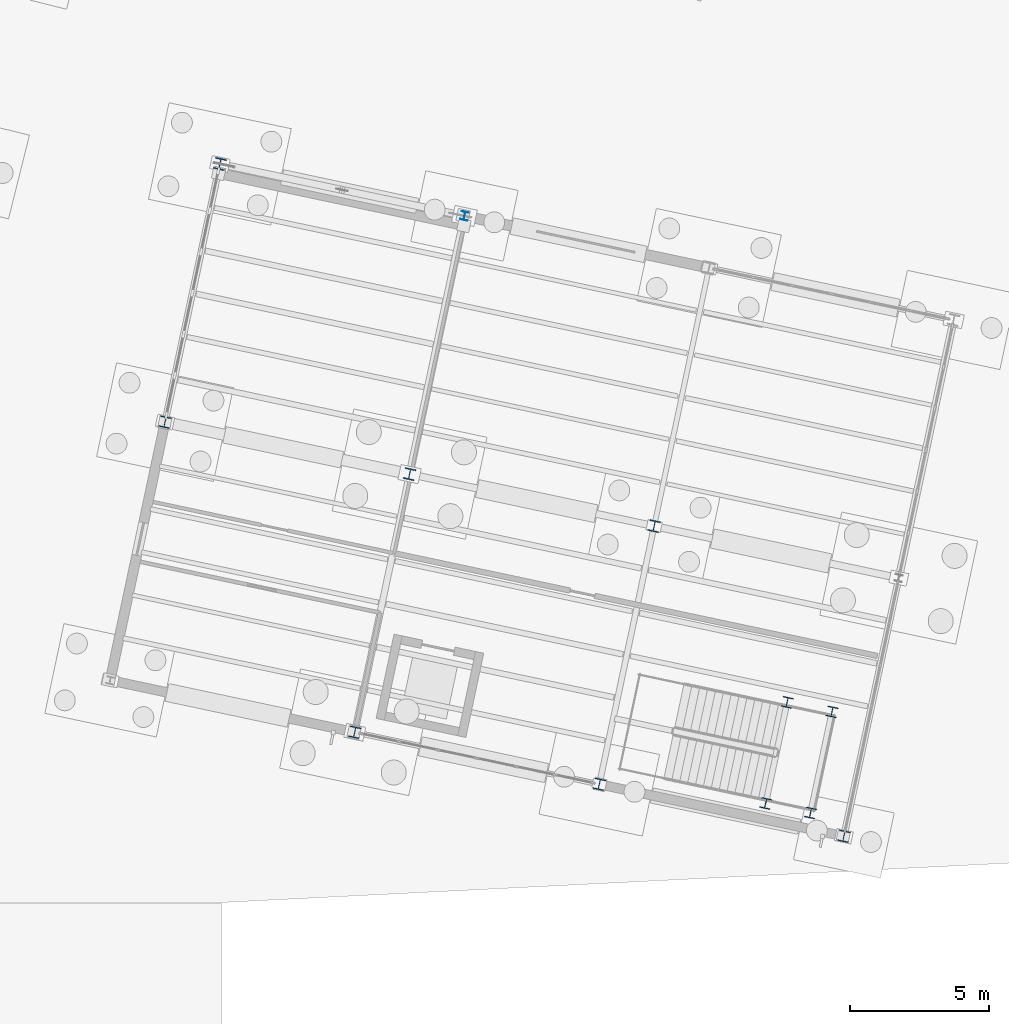
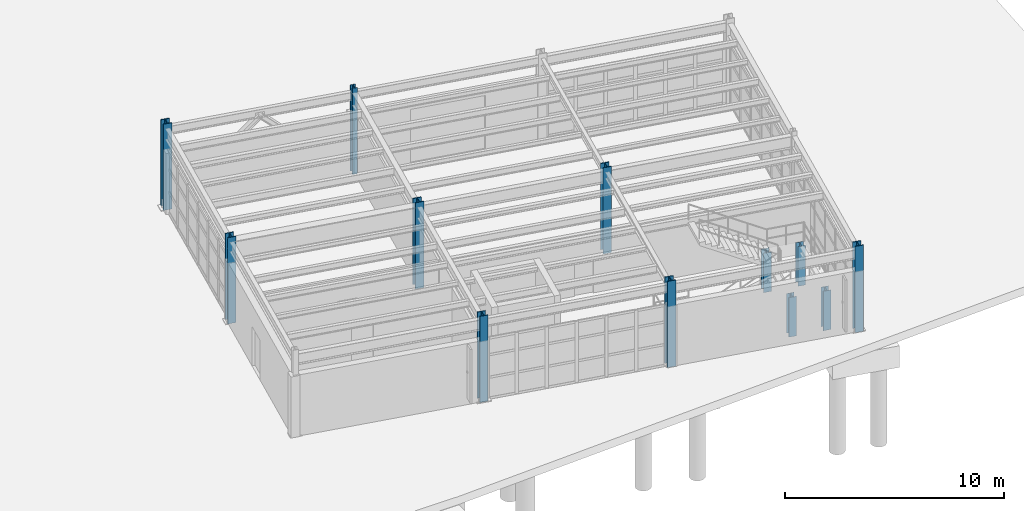
# One storey, part 28 of 108: 12 columns.
"""IFC4 building model written with IfcOpenShell, lengths in metres."""

from ifc_helpers import new_model, si_unit, direction, frame, origin, origin_2d, place, context, subcontext, project, spatial, i_section, extrude, material, material_profile, profile_set, type_object, element, save


model = new_model("IFC4")

# Units and contexts
model_context = context("Model", 3, precision=1e-05, world=origin(), true_north=direction((0.0, 1.0)))
body_context = subcontext(model_context, "Body", "Model", "MODEL_VIEW")
ifc_project = project(units=[si_unit("LENGTHUNIT", "METRE"), si_unit("AREAUNIT", "SQUARE_METRE"), si_unit("VOLUMEUNIT", "CUBIC_METRE"), si_unit("PLANEANGLEUNIT", "RADIAN"), si_unit("MASSUNIT", "GRAM", prefix="KILO")], contexts=[model_context])

# Site, building, storey
site_placement = place(None, origin())
site = spatial("IfcSite", under=ifc_project, at=site_placement, CompositionType="ELEMENT")
building_placement = place(site_placement, origin())
building = spatial("IfcBuilding", under=site, at=building_placement, Name="Vireo Bluff Cable Station", CompositionType="ELEMENT")
storey_placement = place(building_placement, origin())
storey = spatial("IfcBuildingStorey", under=building, at=storey_placement, Name="L00", CompositionType="ELEMENT", Elevation=0.0)

# Columns
ifc_material = material(Name="Steel ASTM A992 Gr. 50", Category="steel")
ifc_material_profile_1 = material_profile(ifc_material, i_section(OverallWidth=0.404052734375, OverallDepth=0.406005859375, WebThickness=0.027099609375, FlangeThickness=0.043701171875, FilletRadius=0.014892578125, at=origin_2d()), Name="W14X233")
ifc_profile_set_1 = profile_set([ifc_material_profile_1], Name="Steel ASTM A992 Gr. 50")
column_type_1 = type_object("IfcColumnType", Name="COL-W14X233", PredefinedType="COLUMN", material=ifc_profile_set_1)
for number, where, z_axis, x_axis, name in (
    (1, (140.778564453125, 17.421142578125, 0.0), (0.0, 0.0, 1.0), (0.978147600734, -0.207911690818, 0.0), "V5E L00 column 391"),
    (2, (149.581787109375, 15.550048828125, 0.0), (0.0, 0.0, 1.0), (0.978147600734, -0.207911690818, 0.0), "V5E L00 column 397"),
):
    element("IfcColumn", number, at=place(storey_placement, frame(where, z_axis=z_axis, x_axis=x_axis)), inside=storey, type_object=column_type_1, Name=name, PredefinedType="COLUMN", context=body_context, shape_type="SweptSolid", body=[
        extrude(i_section(OverallWidth=0.404052734375, OverallDepth=0.406005859375, WebThickness=0.027099609375, FlangeThickness=0.043701171875, FilletRadius=0.014892578125, at=origin_2d()), origin(), (0.0, 0.0, 1.0), 4.800048828125),
    ])
ifc_material_profile_2 = material_profile(ifc_material, i_section(OverallWidth=0.367919921875, OverallDepth=0.35595703125, WebThickness=0.01123046875, FlangeThickness=0.01806640625, FilletRadius=0.014892578125, at=origin_2d()), Name="W14X90")
ifc_profile_set_2 = profile_set([ifc_material_profile_2], Name="Steel ASTM A992 Gr. 50")
column_type_2 = type_object("IfcColumnType", Name="COL-W14X90", PredefinedType="COLUMN", material=ifc_profile_set_2)
for number, where, z_axis, x_axis, name in (
    (3, (153.593994140625, 5.567626953125, 0.0), (0.0, 0.0, 1.0), (0.978147600734, -0.207911690818, 0.0), "ST-06 L00 landing support column 1"),
    (4, (155.2080078125, 5.224609375, 0.0), (0.0, 0.0, 1.0), (0.978147600734, -0.207911690818, 0.0), "ST-06 L00 landing support column 2"),
    (5, (154.367431640625, 9.206298828125, 0.0), (0.0, 0.0, 1.0), (0.978147600734, -0.207911690818, 0.0), "ST-06 L00 landing support column 3"),
    (6, (155.9814453125, 8.86328125, 0.0), (0.0, 0.0, 1.0), (0.978147600734, -0.207911690818, 0.0), "ST-06 L00 landing support column 4"),
):
    element("IfcColumn", number, at=place(storey_placement, frame(where, z_axis=z_axis, x_axis=x_axis)), inside=storey, type_object=column_type_2, Name=name, PredefinedType="COLUMN", context=body_context, shape_type="SweptSolid", body=[
        extrude(i_section(OverallWidth=0.367919921875, OverallDepth=0.35595703125, WebThickness=0.01123046875, FlangeThickness=0.01806640625, FilletRadius=0.014892578125, at=origin_2d()), origin(), (0.0, 0.0, 1.0), 2.199951171875),
    ])
ifc_material_profile_3 = material_profile(ifc_material, i_section(OverallWidth=0.40087890625, OverallDepth=0.39892578125, WebThickness=0.02490234375, FlangeThickness=0.03955078125, FilletRadius=0.014892578125, at=origin_2d()), Name="W14X211")
ifc_profile_set_3 = profile_set([ifc_material_profile_3], Name="Steel ASTM A992 Gr. 50")
column_type_3 = type_object("IfcColumnType", Name="ECOL-W14X211", PredefinedType="COLUMN", material=ifc_profile_set_3)
for number, where, z_axis, x_axis, name in (
    (7, (131.97509765625, 19.29248046875, 0.0), (0.0, 0.0, 1.0), (0.978147600734, -0.207911690818, 0.0), "V5E L00 column 387"),
    (8, (138.80322265625, 8.12890625, 0.0), (0.0, 0.0, 1.0), (0.978147600734, -0.207911690818, 0.0), "V5E L00 column 389"),
    (9, (147.606689453125, 6.257568359375, 0.0), (0.0, 0.0, 1.0), (0.978147600734, -0.207911690818, 0.0), "V5E L00 column 395"),
    (10, (156.409912109375, 4.386474609375, 0.0), (0.0, 0.0, 1.0), (0.978147600734, -0.207911690818, 0.0), "V5E L00 column 401"),
):
    element("IfcColumn", number, at=place(storey_placement, frame(where, z_axis=z_axis, x_axis=x_axis)), inside=storey, type_object=column_type_3, Name=name, PredefinedType="COLUMN", context=body_context, shape_type="SweptSolid", body=[
        extrude(i_section(OverallWidth=0.40087890625, OverallDepth=0.39892578125, WebThickness=0.02490234375, FlangeThickness=0.03955078125, FilletRadius=0.014892578125, at=origin_2d()), origin(), (0.0, 0.0, 1.0), 4.800048828125),
    ])
ifc_material_profile_4 = material_profile(ifc_material, i_section(OverallWidth=0.406005859375, OverallDepth=0.4169921875, WebThickness=0.02978515625, FlangeThickness=0.048095703125, FilletRadius=0.014892578125, at=origin_2d()), Name="W14X257")
ifc_profile_set_4 = profile_set([ifc_material_profile_4], Name="Steel ASTM A992 Gr. 50")
column_type_4 = type_object("IfcColumnType", Name="ECOL-W14X257", PredefinedType="COLUMN", material=ifc_profile_set_4)
column_1_placement = place(storey_placement, frame((133.950439453125, 28.584716796875, 0.0), z_axis=(0.0, 0.0, 1.0), x_axis=(0.978147600734, -0.207911690818, 0.0)))
element("IfcColumn", 11, at=column_1_placement, inside=storey, type_object=column_type_4, Name="V5E L00 column 388", PredefinedType="COLUMN", context=body_context, shape_type="SweptSolid", body=[
    extrude(i_section(OverallWidth=0.406005859375, OverallDepth=0.4169921875, WebThickness=0.02978515625, FlangeThickness=0.048095703125, FilletRadius=0.014892578125, at=origin_2d()), origin(), (0.0, 0.0, 1.0), 4.800048828125),
])
ifc_material_profile_5 = material_profile(ifc_material, i_section(OverallWidth=0.25390625, OverallDepth=0.305908203125, WebThickness=0.0087890625, FlangeThickness=0.0146484375, FilletRadius=0.010986328125, at=origin_2d()), Name="W12X53")
ifc_profile_set_5 = profile_set([ifc_material_profile_5], Name="Steel ASTM A992 Gr. 50")
column_type_5 = type_object("IfcColumnType", Name="PIL-W12X53", PredefinedType="PILASTER", material=ifc_profile_set_5)
column_2_placement = place(storey_placement, frame((142.753662109375, 26.713623046875, 0.0), z_axis=(0.0, 0.0, 1.0), x_axis=(0.978147600734, -0.207911690818, 0.0)))
element("IfcColumn", 12, at=column_2_placement, inside=storey, type_object=column_type_5, Name="V5E L00 column 393", PredefinedType="PILASTER", context=body_context, shape_type="SweptSolid", body=[
    extrude(i_section(OverallWidth=0.25390625, OverallDepth=0.305908203125, WebThickness=0.0087890625, FlangeThickness=0.0146484375, FilletRadius=0.010986328125, at=origin_2d()), origin(), (0.0, 0.0, 1.0), 4.800048828125),
])

save(model, "model.ifc")
